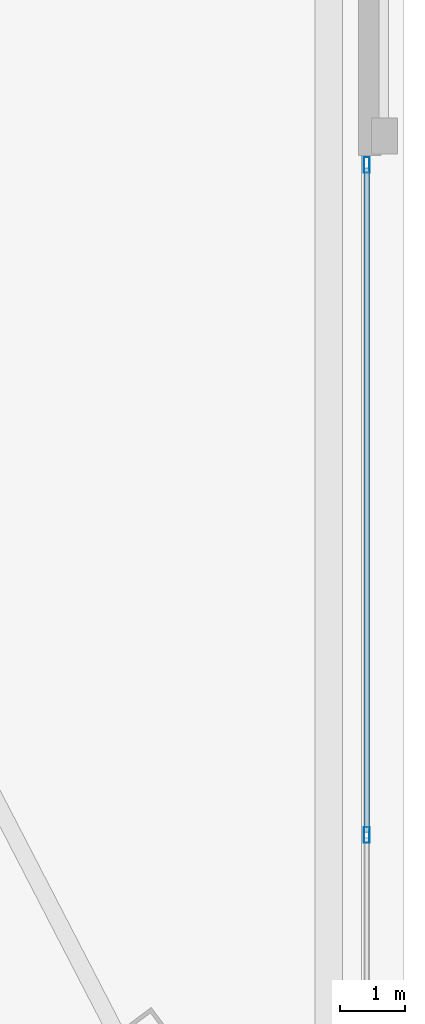
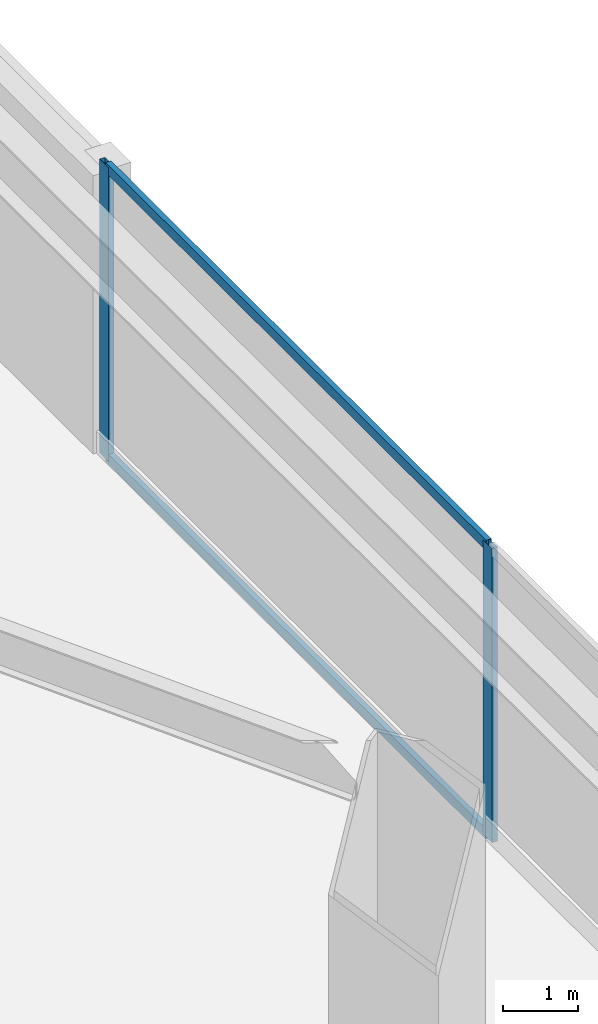
# One storey, part 28 of 44: 4 members, 1 element without a shape of its own.
"""IFC4 building model written with IfcOpenShell, lengths in metres."""

import ifcopenshell
import ifcopenshell.guid

model = None  # the IFC model being written
_history = None  # IfcOwnerHistory: only IFC2X3 demands one
_inside = {}  # id of a spatial element -> (the spatial element, [elements in it])
_under = {}  # id of a project, library or spatial element -> (it, [spatial elements below it])
_declared = {}  # id of a project -> (the project, [libraries it declares])
_typed = {}  # id of a type object -> (the type object, [elements of that type])
_made_of = {}  # id of a material, layer set ... -> (it, [elements and type objects made of it])


def new_model(schema):
    """Start an empty IFC model of exactly this schema.

    Asked for "IFC4X3", IfcOpenShell would pick the latest addendum, in which some entities
    have other attributes; the version numbers below select the first issue.
    IFC2X3 requires an IfcOwnerHistory on every rooted entity: one is made here for all.
    """
    global model, _history
    if schema == "IFC4X3":
        model = ifcopenshell.file(schema_version=(4, 3, 0, 0))
    else:
        model = ifcopenshell.file(schema=schema)
    _inside.clear()
    _under.clear()
    _declared.clear()
    _typed.clear()
    _made_of.clear()
    _history = None
    if model.schema == "IFC2X3":
        org = make("IfcOrganization", Name="unknown")
        user = make(
            "IfcPersonAndOrganization",
            ThePerson=make("IfcPerson", FamilyName="unknown"),
            TheOrganization=org,
        )
        app = make(
            "IfcApplication",
            ApplicationDeveloper=org,
            Version="unknown",
            ApplicationFullName="unknown",
            ApplicationIdentifier="unknown",
        )
        _history = make(
            "IfcOwnerHistory",
            OwningUser=user,
            OwningApplication=app,
            ChangeAction="ADDED",
            CreationDate=0,
        )
    return model


def make(cls, **values):
    """One entity of the class cls with the attributes given. An attribute that is None is left unset."""
    return model.create_entity(
        cls, **{name: value for name, value in values.items() if value is not None}
    )


def rooted(cls, **values):
    """An entity with a GlobalId (a new one), such as an element, a storey or a relation."""
    return make(cls, GlobalId=ifcopenshell.guid.new(), OwnerHistory=_history, **values)


def si_unit(unit_type, name, prefix=None):
    """IfcSIUnit, for example si_unit("LENGTHUNIT", "METRE", prefix="MILLI")."""
    return make("IfcSIUnit", UnitType=unit_type, Prefix=prefix, Name=name)


def assignment(units):
    """IfcUnitAssignment: the units of a project."""
    return None if units is None else make("IfcUnitAssignment", Units=units)


def point(xyz):
    """IfcCartesianPoint."""
    return None if xyz is None else make("IfcCartesianPoint", Coordinates=xyz)


def direction(xyz):
    """IfcDirection."""
    return None if xyz is None else make("IfcDirection", DirectionRatios=xyz)


def frame(location, z_axis=None, x_axis=None):
    """IfcAxis2Placement3D, a coordinate frame: its origin and axes. An axis left out is left unset."""
    return make(
        "IfcAxis2Placement3D",
        Location=point(location),
        Axis=direction(z_axis),
        RefDirection=direction(x_axis),
    )


def frame_2d(location, x_axis=None):
    """IfcAxis2Placement2D, a coordinate frame in the plane: its origin and x axis."""
    return make(
        "IfcAxis2Placement2D", Location=point(location), RefDirection=direction(x_axis)
    )


def origin():
    """The frame at (0, 0, 0) with its axes left unset."""
    return frame((0.0, 0.0, 0.0))


def origin_2d():
    """The frame at (0, 0) in the plane with its x axis left unset."""
    return frame_2d((0.0, 0.0))


def place(relative_to, where):
    """IfcLocalPlacement: puts the frame where relative to a parent placement (None: the world)."""
    return make(
        "IfcLocalPlacement", PlacementRelTo=relative_to, RelativePlacement=where
    )


def context(
    kind, dimensions, precision=None, world=None, true_north=None, identifier=None
):
    """IfcGeometricRepresentationContext, for example the 3D "Model" context."""
    return make(
        "IfcGeometricRepresentationContext",
        ContextIdentifier=identifier,
        ContextType=kind,
        CoordinateSpaceDimension=dimensions,
        Precision=precision,
        WorldCoordinateSystem=world,
        TrueNorth=true_north,
    )


def subcontext(parent, identifier, kind, view, scale=None):
    """IfcGeometricRepresentationSubContext, for example "Body" below "Model"."""
    return make(
        "IfcGeometricRepresentationSubContext",
        ContextIdentifier=identifier,
        ContextType=kind,
        ParentContext=parent,
        TargetScale=scale,
        TargetView=view,
    )


def project(units=None, contexts=None):
    """IfcProject with its units and contexts."""
    return rooted(
        "IfcProject",
        Name="project",
        RepresentationContexts=contexts,
        UnitsInContext=assignment(units),
    )


def spatial(cls, under=None, at=None, **own):
    """A site, building, storey or space (cls), placed at a placement, below another one or the project."""
    s = rooted(cls, ObjectPlacement=at, **own)
    if under is not None:
        _under.setdefault(under.id(), (under, []))[1].append(s)
    return s


def profile(cls, at=None, kind="AREA", **sizes):
    """A parametric profile (cls). Its sizes go by their IFC names, for example OverallWidth=200.0."""
    return make(cls, ProfileType=kind, Position=at, **sizes)


def hollow_rectangle(**sizes):
    """IfcRectangleHollowProfileDef."""
    return profile("IfcRectangleHollowProfileDef", **sizes)


def extrude(swept, where, along, depth):
    """IfcExtrudedAreaSolid: the profile swept, set in the frame where, extruded along a direction by depth."""
    return make(
        "IfcExtrudedAreaSolid",
        SweptArea=swept,
        Position=where,
        ExtrudedDirection=direction(along),
        Depth=depth,
    )


def shape(context_of_items, identifier, shape_type, items):
    """IfcShapeRepresentation: the items that make up one representation, for example the "Body"."""
    return make(
        "IfcShapeRepresentation",
        ContextOfItems=context_of_items,
        RepresentationIdentifier=identifier,
        RepresentationType=shape_type,
        Items=items,
    )


def material(Name=None, Category=None):
    """IfcMaterial."""
    return make("IfcMaterial", Name=Name, Category=Category)


def material_profile(
    of_material, cross_section, Name=None, Category=None, Priority=None
):
    """IfcMaterialProfile: a cross section and its material."""
    return make(
        "IfcMaterialProfile",
        Name=Name,
        Material=of_material,
        Profile=cross_section,
        Priority=Priority,
        Category=Category,
    )


def profile_set(profiles, Name=None, composite=None):
    """IfcMaterialProfileSet."""
    return make(
        "IfcMaterialProfileSet",
        Name=Name,
        MaterialProfiles=profiles,
        CompositeProfile=composite,
    )


def made_of(thing, what):
    """Note that an element or type object is made of a material, layer set ...; save() writes the relation."""
    if what is not None:
        _made_of.setdefault(what.id(), (what, []))[1].append(thing)
    return thing


def type_object(cls, material=None, **own):
    """A type object (cls), such as IfcWallType, which elements share."""
    return made_of(rooted(cls, **own), material)


def element(
    cls,
    number,
    at=None,
    inside=None,
    cuts=None,
    type_object=None,
    material=None,
    context=None,
    identifier="Body",
    shape_type=None,
    held_by="IfcProductDefinitionShape",
    body=None,
    shapes=None,
    **own,
):
    """One element of the class cls, such as IfcWall. Its Tag is "e" and its number.

    at: its placement. inside: the storey or other place that contains it. cuts: it is an
    opening in that element (IfcRelVoidsElement). A single representation is given by context,
    identifier, shape_type and body (its items); several are given by shapes. held_by: the class
    of the entity that holds the representations. save() writes the other relations.
    """
    e = rooted(cls, Tag="e%d" % number, ObjectPlacement=at, **own)
    if body is not None:
        shapes = [shape(context, identifier, shape_type, body)]
    if shapes is not None:
        e.Representation = make(held_by, Representations=shapes)
    if inside is not None:
        _inside.setdefault(inside.id(), (inside, []))[1].append(e)
    if cuts is not None:
        rooted(
            "IfcRelVoidsElement", RelatingBuildingElement=cuts, RelatedOpeningElement=e
        )
    if type_object is not None:
        _typed.setdefault(type_object.id(), (type_object, []))[1].append(e)
    return made_of(e, material)


def aggregate(whole, parts):
    """IfcRelAggregates: a whole, such as a stair, and the parts it consists of."""
    return rooted("IfcRelAggregates", RelatingObject=whole, RelatedObjects=parts)


def save(model, path):
    """Write the relations noted so far, then the file.

    IfcRelAggregates (storeys below a building ...), IfcRelContainedInSpatialStructure (elements
    in a storey), IfcRelDefinesByType, IfcRelAssociatesMaterial and IfcRelDeclares: one each for
    every whole, place, type object, material and project.
    """
    for whole, parts in _under.values():
        aggregate(whole, parts)
    for where, things in _inside.values():
        rooted(
            "IfcRelContainedInSpatialStructure",
            RelatedElements=things,
            RelatingStructure=where,
        )
    for kind, things in _typed.values():
        rooted("IfcRelDefinesByType", RelatedObjects=things, RelatingType=kind)
    for what, things in _made_of.values():
        rooted("IfcRelAssociatesMaterial", RelatedObjects=things, RelatingMaterial=what)
    for by, libraries in _declared.values():
        rooted("IfcRelDeclares", RelatingContext=by, RelatedDefinitions=libraries)
    model.write(path)


model = new_model("IFC4")

# Units and contexts
model_context = context("Model", 3, precision=1e-05, world=origin(), true_north=direction((0.0, 1.0)))
body_context = subcontext(model_context, "Body", "Model", "MODEL_VIEW")
ifc_project = project(units=[si_unit("LENGTHUNIT", "METRE"), si_unit("AREAUNIT", "SQUARE_METRE"), si_unit("VOLUMEUNIT", "CUBIC_METRE"), si_unit("PLANEANGLEUNIT", "RADIAN"), si_unit("MASSUNIT", "GRAM", prefix="KILO")], contexts=[model_context])

# Site, building, storey
site_placement = place(None, origin())
site = spatial("IfcSite", under=ifc_project, at=site_placement, CompositionType="ELEMENT")
building_placement = place(site_placement, origin())
building = spatial("IfcBuilding", under=site, at=building_placement, Name="Tashvorn Skyway Center", CompositionType="ELEMENT")
storey_placement = place(building_placement, frame((0.0, 0.0, 5.39990234375)))
storey = spatial("IfcBuildingStorey", under=building, at=storey_placement, Name="L01", CompositionType="ELEMENT", Elevation=5.39990234375)

# Curtain wall, members
ifc_material = material(Name="Thermally broken bronze-anodized aluminium 6063-T6", Category="aluminium")
curtain_wall_type = type_object("IfcCurtainWallType", Name="CW-CW-Z1", PredefinedType="NOTDEFINED", material=ifc_material)
curtain_wall_placement = place(storey_placement, origin())
curtain_wall = element("IfcCurtainWall", 1, at=curtain_wall_placement, inside=storey, type_object=curtain_wall_type, Name="L01 East Station Concourse Curtain Wall", PredefinedType="NOTDEFINED")
ifc_material_profile_1 = material_profile(ifc_material, hollow_rectangle(XDim=0.0849609375, YDim=0.239990234375, WallThickness=0.0048828125, at=origin_2d()), Name="ALU-MULL-85x240")
ifc_profile_set_1 = profile_set([ifc_material_profile_1], Name="Thermally broken bronze-anodized aluminium 6063-T6")
member_type_1 = type_object("IfcMemberType", Name="CWM-CW-Z1", PredefinedType="MULLION", material=ifc_profile_set_1)
member_1_placement = place(storey_placement, frame((143.780029296875, 42.257568359375, 0.0), z_axis=(0.0, 0.0, 1.0), x_axis=(1.0, 0.0, 0.0)))
member_1 = element("IfcMember", 2, at=member_1_placement, type_object=member_type_1, Name="CW-Z1 mullion 1", PredefinedType="MULLION", context=body_context, shape_type="SweptSolid", body=[
    extrude(hollow_rectangle(XDim=0.0849609375, YDim=0.239990234375, WallThickness=0.0048828125, at=origin_2d()), origin(), (0.0, 0.0, 1.0), 4.800048828125),
])
member_2_placement = place(storey_placement, frame((143.780029296875, 32.0, 0.0), z_axis=(0.0, 0.0, 1.0), x_axis=(1.0, 0.0, 0.0)))
member_2 = element("IfcMember", 3, at=member_2_placement, type_object=member_type_1, Name="CW-Z1 mullion 2", PredefinedType="MULLION", context=body_context, shape_type="SweptSolid", body=[
    extrude(hollow_rectangle(XDim=0.0849609375, YDim=0.239990234375, WallThickness=0.0048828125, at=origin_2d()), origin(), (0.0, 0.0, 1.0), 4.800048828125),
])
ifc_material_profile_2 = material_profile(ifc_material, hollow_rectangle(XDim=0.0849609375, YDim=0.1650390625, WallThickness=0.0048828125, at=origin_2d()), Name="ALU-TRAN-85x165")
ifc_profile_set_2 = profile_set([ifc_material_profile_2], Name="Thermally broken bronze-anodized aluminium 6063-T6")
member_type_2 = type_object("IfcMemberType", Name="CWT-CW-Z1", PredefinedType="USERDEFINED", material=ifc_profile_set_2)
member_3_placement = place(storey_placement, frame((143.780029296875, 42.215087890625, 0.04248046875), z_axis=(0.0, -1.0, 0.0), x_axis=(1.0, 0.0, 0.0)))
member_3 = element("IfcMember", 4, at=member_3_placement, type_object=member_type_2, Name="CW-Z1 transom 1.1", ObjectType="TRANSOM", PredefinedType="USERDEFINED", context=body_context, shape_type="SweptSolid", body=[
    extrude(hollow_rectangle(XDim=0.0849609375, YDim=0.1650390625, WallThickness=0.0048828125, at=origin_2d()), origin(), (0.0, 0.0, 1.0), 10.172607421875),
])
member_4_placement = place(storey_placement, frame((143.780029296875, 42.215087890625, 4.757568359375), z_axis=(0.0, -1.0, 0.0), x_axis=(1.0, 0.0, 0.0)))
member_4 = element("IfcMember", 5, at=member_4_placement, type_object=member_type_2, Name="CW-Z1 transom 1.2", ObjectType="TRANSOM", PredefinedType="USERDEFINED", context=body_context, shape_type="SweptSolid", body=[
    extrude(hollow_rectangle(XDim=0.0849609375, YDim=0.1650390625, WallThickness=0.0048828125, at=origin_2d()), origin(), (0.0, 0.0, 1.0), 10.172607421875),
])
aggregate(curtain_wall, [member_1, member_2, member_3, member_4])

save(model, "model.ifc")
